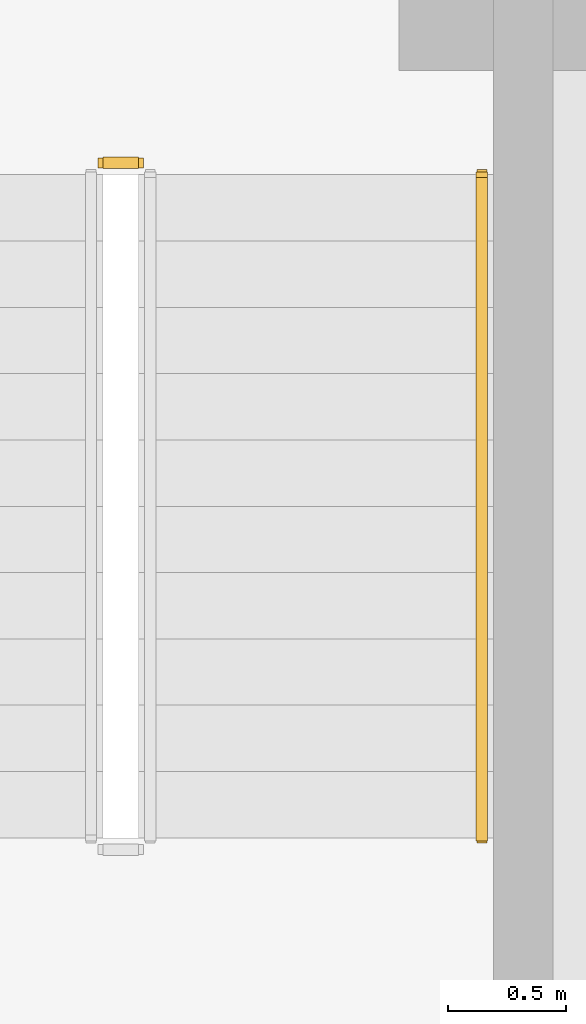
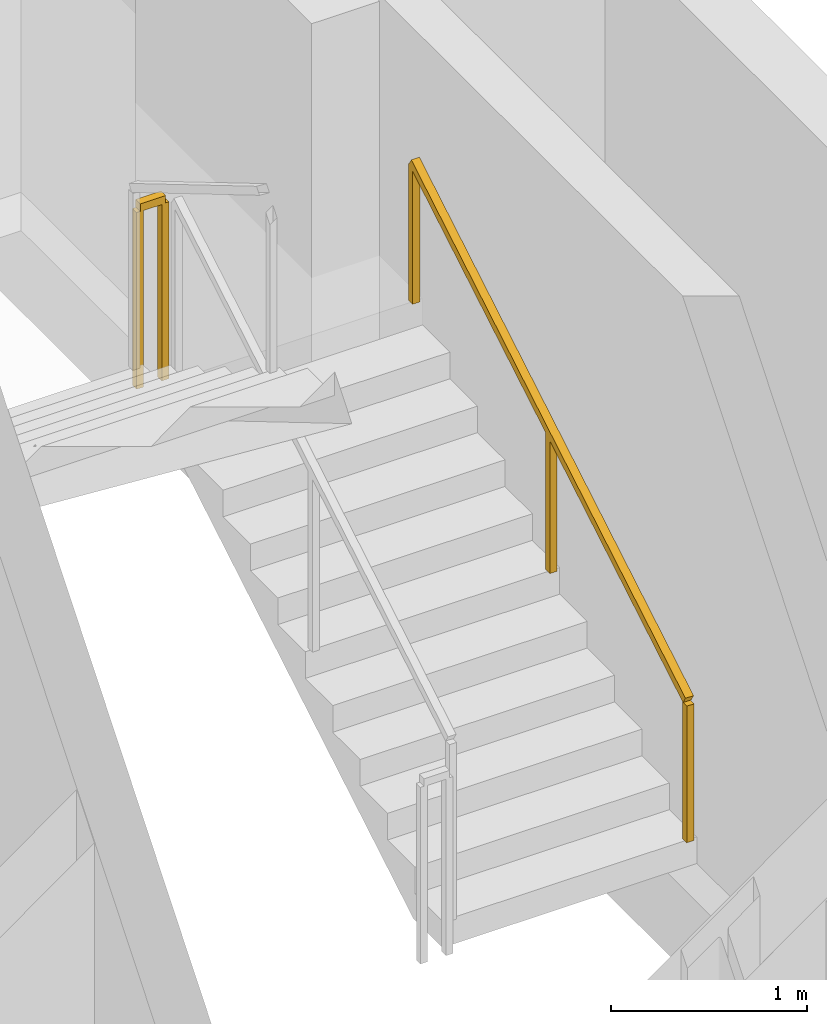
# One storey, part 13 of 13: 2 railings.
"""IFC4 building model written with IfcOpenShell, lengths in metres."""

from ifc_helpers import new_model, si_unit, direction, frame, origin, origin_2d, place, context, subcontext, project, spatial, rectangle, extrude, source, transform, mapped, material, type_object, element, save


model = new_model("IFC4")

# Units and contexts
model_context = context("Model", 3, precision=1e-05, world=origin(), true_north=direction((0.0, 1.0)))
body_context = subcontext(model_context, "Body", "Model", "MODEL_VIEW")
ifc_project = project(units=[si_unit("LENGTHUNIT", "METRE"), si_unit("AREAUNIT", "SQUARE_METRE"), si_unit("VOLUMEUNIT", "CUBIC_METRE"), si_unit("PLANEANGLEUNIT", "RADIAN"), si_unit("MASSUNIT", "GRAM", prefix="KILO")], contexts=[model_context])

# Site, building, storey
site_placement = place(None, origin())
site = spatial("IfcSite", under=ifc_project, at=site_placement, CompositionType="ELEMENT")
building_placement = place(site_placement, origin())
building = spatial("IfcBuilding", under=site, at=building_placement, Name="Vardaveli Station Tower", CompositionType="ELEMENT")
storey_placement = place(building_placement, frame((0.0, 0.0, 67.75)))
storey = spatial("IfcBuildingStorey", under=building, at=storey_placement, Name="L17", CompositionType="ELEMENT", Elevation=67.75)

# Railings
ifc_material = material(Name="Brushed AISI 316 stainless steel", Category="steel")
railing_type_1 = type_object("IfcRailingType", Name="RL-GUARD-1150", PredefinedType="GUARDRAIL", material=ifc_material)
shared_shape_1 = source(origin(), body_context, "Body", "SweptSolid", [
    extrude(rectangle(XDim=0.048095703125, YDim=0.048095703125, at=origin_2d()), frame((0.0, 0.0, 1.1259765625), z_axis=(-1.0, 0.0, 0.0), x_axis=(0.0, -1.0, 0.0)), (0.0, 0.0, 1.0), 0.14990234375),
    extrude(rectangle(XDim=0.0419921875, YDim=0.0419921875, at=origin_2d()), origin(), (0.0, 0.0, 1.0), 1.101806640625),
    extrude(rectangle(XDim=0.0419921875, YDim=0.0419921875, at=origin_2d()), frame((-0.14990234375, 0.0, 0.0)), (0.0, 0.0, 1.0), 1.101806640625),
])
railing_1_placement = place(storey_placement, frame((45.75, 35.25, 1.824951171875)))
element("IfcRailing", 1, at=railing_1_placement, inside=storey, type_object=railing_type_1, Name="L17 ST-3 stair guard 2", PredefinedType="GUARDRAIL", context=body_context, shape_type="MappedRepresentation", body=[
    mapped(shared_shape_1, transform((0.0, 0.0, 0.0), scale=1.0)),
])
railing_type_2 = type_object("IfcRailingType", Name="RL-HAND-900", PredefinedType="HANDRAIL", material=ifc_material)
shared_shape_2 = source(origin(), body_context, "Body", "SweptSolid", [
    extrude(rectangle(XDim=0.048095703125, YDim=0.048095703125, at=origin_2d()), frame((0.0, 0.0, 0.8759765625), z_axis=(0.0, 0.860339051648, 0.50972219513), x_axis=(-1.0, 0.0, 0.0)), (0.0, 0.0, 1.0), 3.254638671875),
    extrude(rectangle(XDim=0.0419921875, YDim=0.0419921875, at=origin_2d()), origin(), (0.0, 0.0, 1.0), 0.851806640625),
    extrude(rectangle(XDim=0.0419921875, YDim=0.0419921875, at=origin_2d()), frame((0.0, 1.39990234375, 0.82958984375)), (0.0, 0.0, 1.0), 0.851806640625),
    extrude(rectangle(XDim=0.0419921875, YDim=0.0419921875, at=origin_2d()), frame((0.0, 2.800048828125, 1.658935546875)), (0.0, 0.0, 1.0), 0.851806640625),
])
railing_2_placement = place(storey_placement, frame((47.199951171875, 32.39990234375, 0.166015625)))
element("IfcRailing", 2, at=railing_2_placement, inside=storey, type_object=railing_type_2, Name="L17 ST-3 stair handrail 1", PredefinedType="HANDRAIL", context=body_context, shape_type="MappedRepresentation", body=[
    mapped(shared_shape_2, transform((0.0, 0.0, 0.0), scale=1.0)),
])

save(model, "model.ifc")
